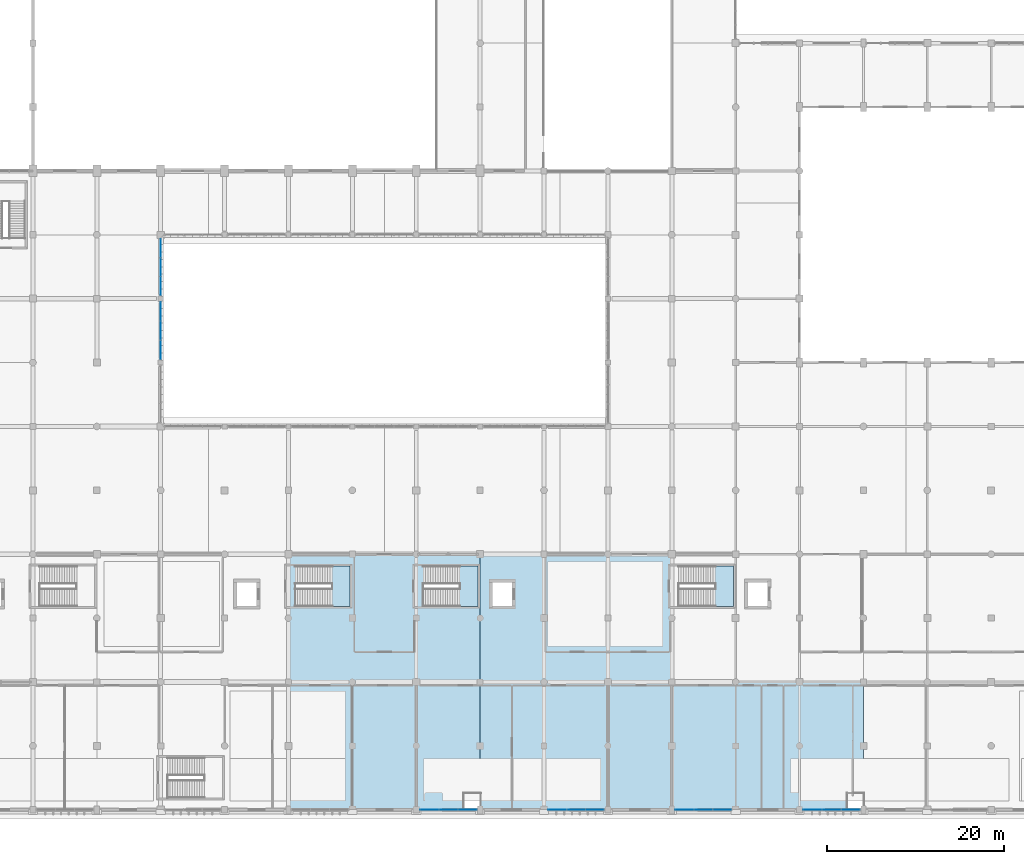
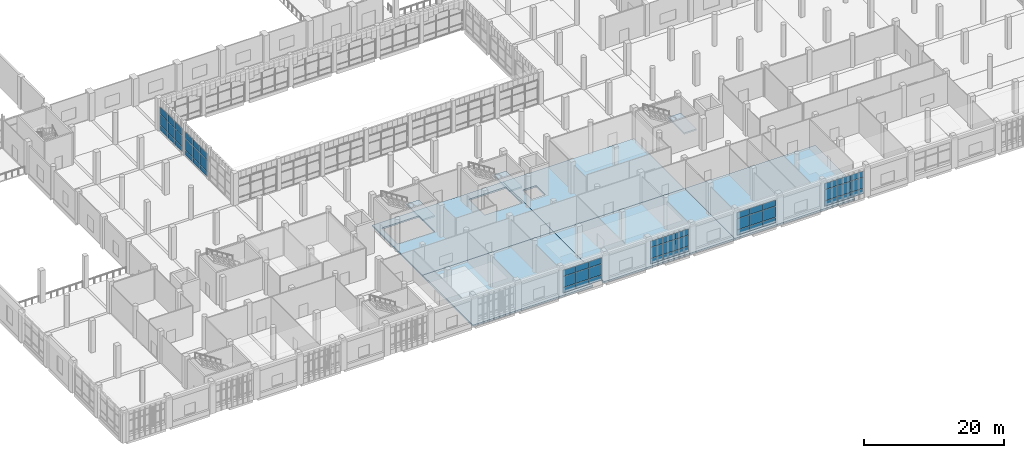
# One storey, part 37 of 80: 54 plates, 8 slabs, 9 elements without a shape of their own.
"""IFC4 building model written with IfcOpenShell, lengths in metres."""

from ifc_helpers import new_model, si_unit, direction, frame, origin, origin_2d, place, context, subcontext, project, spatial, polyline, rectangle, outline, extrude, material, layer, layer_set, type_object, element, aggregate, save


model = new_model("IFC4")

# Units and contexts
model_context = context("Model", 3, precision=1e-05, world=origin(), true_north=direction((0.0, 1.0)))
body_context = subcontext(model_context, "Body", "Model", "MODEL_VIEW")
ifc_project = project(units=[si_unit("LENGTHUNIT", "METRE"), si_unit("AREAUNIT", "SQUARE_METRE"), si_unit("VOLUMEUNIT", "CUBIC_METRE"), si_unit("PLANEANGLEUNIT", "RADIAN"), si_unit("MASSUNIT", "GRAM", prefix="KILO")], contexts=[model_context])

# Site, building, storey
site_placement = place(None, origin())
site = spatial("IfcSite", under=ifc_project, at=site_placement, CompositionType="ELEMENT")
building_placement = place(site_placement, origin())
building = spatial("IfcBuilding", under=site, at=building_placement, Name="Sardonyx Promenade Sports Hall", CompositionType="ELEMENT")
storey_placement = place(building_placement, frame((0.0, 0.0, 5.60009765625)))
storey = spatial("IfcBuildingStorey", under=building, at=storey_placement, Name="L01", CompositionType="ELEMENT", Elevation=5.60009765625)

# Curtain wall, plates
ifc_material_1 = material(Name="Aluminium 6063-T6", Category="aluminium")
curtain_wall_type_1 = type_object("IfcCurtainWallType", Name="CW_South_L01_640", PredefinedType="USERDEFINED", material=ifc_material_1)
curtain_wall_1_placement = place(storey_placement, origin())
curtain_wall_1 = element("IfcCurtainWall", 1, at=curtain_wall_1_placement, inside=storey, type_object=curtain_wall_type_1, Name="Curtain wall CW08 cw:L01:020", ObjectType="CURTAIN WALL", PredefinedType="USERDEFINED")
ifc_material_2 = material(Name="Double-glazed solar low-E IGU 28 mm", Category="glass")
ifc_layer_1 = layer(ifc_material_2, 0.028076171875)
ifc_layer_set_1 = layer_set([ifc_layer_1], Name="CW_Pan_Glz_28")
plate_type_1 = type_object("IfcPlateType", Name="CW_Pan_Glz_28", PredefinedType="CURTAIN_PANEL", material=ifc_layer_set_1)
plate_1_placement = place(storey_placement, frame((120.9716796875, 0.0, 0.419921875), z_axis=(0.0, 0.0, 1.0), x_axis=(-1.0, 0.0, 0.0)))
plate_1 = element("IfcPlate", 2, at=plate_1_placement, type_object=plate_type_1, Name="Curtain panel CP01 cw:L01:020 #1", PredefinedType="CURTAIN_PANEL", context=body_context, shape_type="SweptSolid", body=[
    extrude(rectangle(XDim=2.07666015625, YDim=0.028076171875, at=origin_2d()), origin(), (0.0, 0.0, 1.0), 0.89501953125),
])
plate_2_placement = place(storey_placement, frame((120.9716796875, 0.0, 1.385009765625), z_axis=(0.0, 0.0, 1.0), x_axis=(-1.0, 0.0, 0.0)))
plate_2 = element("IfcPlate", 3, at=plate_2_placement, type_object=plate_type_1, Name="Curtain panel CP01 cw:L01:020 #2", PredefinedType="CURTAIN_PANEL", context=body_context, shape_type="SweptSolid", body=[
    extrude(rectangle(XDim=2.07666015625, YDim=0.028076171875, at=origin_2d()), origin(), (0.0, 0.0, 1.0), 1.8798828125),
])
plate_3_placement = place(storey_placement, frame((120.9716796875, 0.0, 3.3349609375), z_axis=(0.0, 0.0, 1.0), x_axis=(-1.0, 0.0, 0.0)))
plate_3 = element("IfcPlate", 4, at=plate_3_placement, type_object=plate_type_1, Name="Curtain panel CP01 cw:L01:020 #3", PredefinedType="CURTAIN_PANEL", context=body_context, shape_type="SweptSolid", body=[
    extrude(rectangle(XDim=2.07666015625, YDim=0.028076171875, at=origin_2d()), origin(), (0.0, 0.0, 1.0), 1.044921875),
])
plate_4_placement = place(storey_placement, frame((118.824951171875, 0.0, 0.419921875), z_axis=(0.0, 0.0, 1.0), x_axis=(-1.0, 0.0, 0.0)))
plate_4 = element("IfcPlate", 5, at=plate_4_placement, type_object=plate_type_1, Name="Curtain panel CP01 cw:L01:020 #4", PredefinedType="CURTAIN_PANEL", context=body_context, shape_type="SweptSolid", body=[
    extrude(rectangle(XDim=2.07666015625, YDim=0.028076171875, at=origin_2d()), origin(), (0.0, 0.0, 1.0), 0.89501953125),
])
plate_5_placement = place(storey_placement, frame((118.824951171875, 0.0, 1.385009765625), z_axis=(0.0, 0.0, 1.0), x_axis=(-1.0, 0.0, 0.0)))
plate_5 = element("IfcPlate", 6, at=plate_5_placement, type_object=plate_type_1, Name="Curtain panel CP01 cw:L01:020 #5", PredefinedType="CURTAIN_PANEL", context=body_context, shape_type="SweptSolid", body=[
    extrude(rectangle(XDim=2.07666015625, YDim=0.028076171875, at=origin_2d()), origin(), (0.0, 0.0, 1.0), 1.8798828125),
])
plate_6_placement = place(storey_placement, frame((118.824951171875, 0.0, 3.3349609375), z_axis=(0.0, 0.0, 1.0), x_axis=(-1.0, 0.0, 0.0)))
plate_6 = element("IfcPlate", 7, at=plate_6_placement, type_object=plate_type_1, Name="Curtain panel CP01 cw:L01:020 #6", PredefinedType="CURTAIN_PANEL", context=body_context, shape_type="SweptSolid", body=[
    extrude(rectangle(XDim=2.07666015625, YDim=0.028076171875, at=origin_2d()), origin(), (0.0, 0.0, 1.0), 1.044921875),
])
plate_7_placement = place(storey_placement, frame((116.67822265625, 0.0, 0.419921875), z_axis=(0.0, 0.0, 1.0), x_axis=(-1.0, 0.0, 0.0)))
plate_7 = element("IfcPlate", 8, at=plate_7_placement, type_object=plate_type_1, Name="Curtain panel CP01 cw:L01:020 #7", PredefinedType="CURTAIN_PANEL", context=body_context, shape_type="SweptSolid", body=[
    extrude(rectangle(XDim=2.07666015625, YDim=0.028076171875, at=origin_2d()), origin(), (0.0, 0.0, 1.0), 0.89501953125),
])
plate_8_placement = place(storey_placement, frame((116.67822265625, 0.0, 1.385009765625), z_axis=(0.0, 0.0, 1.0), x_axis=(-1.0, 0.0, 0.0)))
plate_8 = element("IfcPlate", 9, at=plate_8_placement, type_object=plate_type_1, Name="Curtain panel CP01 cw:L01:020 #8", PredefinedType="CURTAIN_PANEL", context=body_context, shape_type="SweptSolid", body=[
    extrude(rectangle(XDim=2.07666015625, YDim=0.028076171875, at=origin_2d()), origin(), (0.0, 0.0, 1.0), 1.8798828125),
])
plate_9_placement = place(storey_placement, frame((116.67822265625, 0.0, 3.3349609375), z_axis=(0.0, 0.0, 1.0), x_axis=(-1.0, 0.0, 0.0)))
plate_9 = element("IfcPlate", 10, at=plate_9_placement, type_object=plate_type_1, Name="Curtain panel CP01 cw:L01:020 #9", PredefinedType="CURTAIN_PANEL", context=body_context, shape_type="SweptSolid", body=[
    extrude(rectangle(XDim=2.07666015625, YDim=0.028076171875, at=origin_2d()), origin(), (0.0, 0.0, 1.0), 1.044921875),
])
aggregate(curtain_wall_1, [plate_1, plate_2, plate_3, plate_4, plate_5, plate_6, plate_7, plate_8, plate_9])

curtain_wall_2_placement = place(storey_placement, origin())
curtain_wall_2 = element("IfcCurtainWall", 11, at=curtain_wall_2_placement, inside=storey, type_object=curtain_wall_type_1, Name="Curtain wall CW08 cw:L01:021", ObjectType="CURTAIN WALL", PredefinedType="USERDEFINED")
plate_10_placement = place(storey_placement, frame((106.47998046875, 0.0, 0.419921875), z_axis=(0.0, 0.0, 1.0), x_axis=(-1.0, 0.0, 0.0)))
plate_10 = element("IfcPlate", 12, at=plate_10_placement, type_object=plate_type_1, Name="Curtain panel CP01 cw:L01:021 #1", PredefinedType="CURTAIN_PANEL", context=body_context, shape_type="SweptSolid", body=[
    extrude(rectangle(XDim=2.06005859375, YDim=0.028076171875, at=origin_2d()), origin(), (0.0, 0.0, 1.0), 0.89501953125),
])
plate_11_placement = place(storey_placement, frame((106.47998046875, 0.0, 1.385009765625), z_axis=(0.0, 0.0, 1.0), x_axis=(-1.0, 0.0, 0.0)))
plate_11 = element("IfcPlate", 13, at=plate_11_placement, type_object=plate_type_1, Name="Curtain panel CP01 cw:L01:021 #2", PredefinedType="CURTAIN_PANEL", context=body_context, shape_type="SweptSolid", body=[
    extrude(rectangle(XDim=2.06005859375, YDim=0.028076171875, at=origin_2d()), origin(), (0.0, 0.0, 1.0), 1.8798828125),
])
plate_12_placement = place(storey_placement, frame((106.47998046875, 0.0, 3.3349609375), z_axis=(0.0, 0.0, 1.0), x_axis=(-1.0, 0.0, 0.0)))
plate_12 = element("IfcPlate", 14, at=plate_12_placement, type_object=plate_type_1, Name="Curtain panel CP01 cw:L01:021 #3", PredefinedType="CURTAIN_PANEL", context=body_context, shape_type="SweptSolid", body=[
    extrude(rectangle(XDim=2.06005859375, YDim=0.028076171875, at=origin_2d()), origin(), (0.0, 0.0, 1.0), 1.044921875),
])
plate_13_placement = place(storey_placement, frame((104.35009765625, 0.0, 0.419921875), z_axis=(0.0, 0.0, 1.0), x_axis=(-1.0, 0.0, 0.0)))
plate_13 = element("IfcPlate", 15, at=plate_13_placement, type_object=plate_type_1, Name="Curtain panel CP01 cw:L01:021 #4", PredefinedType="CURTAIN_PANEL", context=body_context, shape_type="SweptSolid", body=[
    extrude(rectangle(XDim=2.06005859375, YDim=0.028076171875, at=origin_2d()), origin(), (0.0, 0.0, 1.0), 0.89501953125),
])
plate_14_placement = place(storey_placement, frame((104.35009765625, 0.0, 1.385009765625), z_axis=(0.0, 0.0, 1.0), x_axis=(-1.0, 0.0, 0.0)))
plate_14 = element("IfcPlate", 16, at=plate_14_placement, type_object=plate_type_1, Name="Curtain panel CP01 cw:L01:021 #5", PredefinedType="CURTAIN_PANEL", context=body_context, shape_type="SweptSolid", body=[
    extrude(rectangle(XDim=2.06005859375, YDim=0.028076171875, at=origin_2d()), origin(), (0.0, 0.0, 1.0), 1.8798828125),
])
plate_15_placement = place(storey_placement, frame((104.35009765625, 0.0, 3.3349609375), z_axis=(0.0, 0.0, 1.0), x_axis=(-1.0, 0.0, 0.0)))
plate_15 = element("IfcPlate", 17, at=plate_15_placement, type_object=plate_type_1, Name="Curtain panel CP01 cw:L01:021 #6", PredefinedType="CURTAIN_PANEL", context=body_context, shape_type="SweptSolid", body=[
    extrude(rectangle(XDim=2.06005859375, YDim=0.028076171875, at=origin_2d()), origin(), (0.0, 0.0, 1.0), 1.044921875),
])
plate_16_placement = place(storey_placement, frame((102.219970703125, 0.0, 0.419921875), z_axis=(0.0, 0.0, 1.0), x_axis=(-1.0, 0.0, 0.0)))
plate_16 = element("IfcPlate", 18, at=plate_16_placement, type_object=plate_type_1, Name="Curtain panel CP01 cw:L01:021 #7", PredefinedType="CURTAIN_PANEL", context=body_context, shape_type="SweptSolid", body=[
    extrude(rectangle(XDim=2.06005859375, YDim=0.028076171875, at=origin_2d()), origin(), (0.0, 0.0, 1.0), 0.89501953125),
])
plate_17_placement = place(storey_placement, frame((102.219970703125, 0.0, 1.385009765625), z_axis=(0.0, 0.0, 1.0), x_axis=(-1.0, 0.0, 0.0)))
plate_17 = element("IfcPlate", 19, at=plate_17_placement, type_object=plate_type_1, Name="Curtain panel CP01 cw:L01:021 #8", PredefinedType="CURTAIN_PANEL", context=body_context, shape_type="SweptSolid", body=[
    extrude(rectangle(XDim=2.06005859375, YDim=0.028076171875, at=origin_2d()), origin(), (0.0, 0.0, 1.0), 1.8798828125),
])
plate_18_placement = place(storey_placement, frame((102.219970703125, 0.0, 3.3349609375), z_axis=(0.0, 0.0, 1.0), x_axis=(-1.0, 0.0, 0.0)))
plate_18 = element("IfcPlate", 20, at=plate_18_placement, type_object=plate_type_1, Name="Curtain panel CP01 cw:L01:021 #9", PredefinedType="CURTAIN_PANEL", context=body_context, shape_type="SweptSolid", body=[
    extrude(rectangle(XDim=2.06005859375, YDim=0.028076171875, at=origin_2d()), origin(), (0.0, 0.0, 1.0), 1.044921875),
])
aggregate(curtain_wall_2, [plate_10, plate_11, plate_12, plate_13, plate_14, plate_15, plate_16, plate_17, plate_18])

curtain_wall_3_placement = place(storey_placement, origin())
curtain_wall_3 = element("IfcCurtainWall", 21, at=curtain_wall_3_placement, inside=storey, type_object=curtain_wall_type_1, Name="Curtain wall CW08 cw:L01:022", ObjectType="CURTAIN WALL", PredefinedType="USERDEFINED")
plate_19_placement = place(storey_placement, frame((92.138427734375, 0.0, 0.419921875), z_axis=(0.0, 0.0, 1.0), x_axis=(-1.0, 0.0, 0.0)))
plate_19 = element("IfcPlate", 22, at=plate_19_placement, type_object=plate_type_1, Name="Curtain panel CP01 cw:L01:022 #1", PredefinedType="CURTAIN_PANEL", context=body_context, shape_type="SweptSolid", body=[
    extrude(rectangle(XDim=2.043212890625, YDim=0.028076171875, at=origin_2d()), origin(), (0.0, 0.0, 1.0), 0.89501953125),
])
plate_20_placement = place(storey_placement, frame((92.138427734375, 0.0, 1.385009765625), z_axis=(0.0, 0.0, 1.0), x_axis=(-1.0, 0.0, 0.0)))
plate_20 = element("IfcPlate", 23, at=plate_20_placement, type_object=plate_type_1, Name="Curtain panel CP01 cw:L01:022 #2", PredefinedType="CURTAIN_PANEL", context=body_context, shape_type="SweptSolid", body=[
    extrude(rectangle(XDim=2.043212890625, YDim=0.028076171875, at=origin_2d()), origin(), (0.0, 0.0, 1.0), 1.8798828125),
])
plate_21_placement = place(storey_placement, frame((92.138427734375, 0.0, 3.3349609375), z_axis=(0.0, 0.0, 1.0), x_axis=(-1.0, 0.0, 0.0)))
plate_21 = element("IfcPlate", 24, at=plate_21_placement, type_object=plate_type_1, Name="Curtain panel CP01 cw:L01:022 #3", PredefinedType="CURTAIN_PANEL", context=body_context, shape_type="SweptSolid", body=[
    extrude(rectangle(XDim=2.043212890625, YDim=0.028076171875, at=origin_2d()), origin(), (0.0, 0.0, 1.0), 1.044921875),
])
plate_22_placement = place(storey_placement, frame((90.02490234375, 0.0, 0.419921875), z_axis=(0.0, 0.0, 1.0), x_axis=(-1.0, 0.0, 0.0)))
plate_22 = element("IfcPlate", 25, at=plate_22_placement, type_object=plate_type_1, Name="Curtain panel CP01 cw:L01:022 #4", PredefinedType="CURTAIN_PANEL", context=body_context, shape_type="SweptSolid", body=[
    extrude(rectangle(XDim=2.043212890625, YDim=0.028076171875, at=origin_2d()), origin(), (0.0, 0.0, 1.0), 0.89501953125),
])
plate_23_placement = place(storey_placement, frame((90.02490234375, 0.0, 1.385009765625), z_axis=(0.0, 0.0, 1.0), x_axis=(-1.0, 0.0, 0.0)))
plate_23 = element("IfcPlate", 26, at=plate_23_placement, type_object=plate_type_1, Name="Curtain panel CP01 cw:L01:022 #5", PredefinedType="CURTAIN_PANEL", context=body_context, shape_type="SweptSolid", body=[
    extrude(rectangle(XDim=2.043212890625, YDim=0.028076171875, at=origin_2d()), origin(), (0.0, 0.0, 1.0), 1.8798828125),
])
plate_24_placement = place(storey_placement, frame((90.02490234375, 0.0, 3.3349609375), z_axis=(0.0, 0.0, 1.0), x_axis=(-1.0, 0.0, 0.0)))
plate_24 = element("IfcPlate", 27, at=plate_24_placement, type_object=plate_type_1, Name="Curtain panel CP01 cw:L01:022 #6", PredefinedType="CURTAIN_PANEL", context=body_context, shape_type="SweptSolid", body=[
    extrude(rectangle(XDim=2.043212890625, YDim=0.028076171875, at=origin_2d()), origin(), (0.0, 0.0, 1.0), 1.044921875),
])
plate_25_placement = place(storey_placement, frame((87.91162109375, 0.0, 0.419921875), z_axis=(0.0, 0.0, 1.0), x_axis=(-1.0, 0.0, 0.0)))
plate_25 = element("IfcPlate", 28, at=plate_25_placement, type_object=plate_type_1, Name="Curtain panel CP01 cw:L01:022 #7", PredefinedType="CURTAIN_PANEL", context=body_context, shape_type="SweptSolid", body=[
    extrude(rectangle(XDim=2.043212890625, YDim=0.028076171875, at=origin_2d()), origin(), (0.0, 0.0, 1.0), 0.89501953125),
])
plate_26_placement = place(storey_placement, frame((87.91162109375, 0.0, 1.385009765625), z_axis=(0.0, 0.0, 1.0), x_axis=(-1.0, 0.0, 0.0)))
plate_26 = element("IfcPlate", 29, at=plate_26_placement, type_object=plate_type_1, Name="Curtain panel CP01 cw:L01:022 #8", PredefinedType="CURTAIN_PANEL", context=body_context, shape_type="SweptSolid", body=[
    extrude(rectangle(XDim=2.043212890625, YDim=0.028076171875, at=origin_2d()), origin(), (0.0, 0.0, 1.0), 1.8798828125),
])
plate_27_placement = place(storey_placement, frame((87.91162109375, 0.0, 3.3349609375), z_axis=(0.0, 0.0, 1.0), x_axis=(-1.0, 0.0, 0.0)))
plate_27 = element("IfcPlate", 30, at=plate_27_placement, type_object=plate_type_1, Name="Curtain panel CP01 cw:L01:022 #9", PredefinedType="CURTAIN_PANEL", context=body_context, shape_type="SweptSolid", body=[
    extrude(rectangle(XDim=2.043212890625, YDim=0.028076171875, at=origin_2d()), origin(), (0.0, 0.0, 1.0), 1.044921875),
])
aggregate(curtain_wall_3, [plate_19, plate_20, plate_21, plate_22, plate_23, plate_24, plate_25, plate_26, plate_27])

curtain_wall_4_placement = place(storey_placement, origin())
curtain_wall_4 = element("IfcCurtainWall", 31, at=curtain_wall_4_placement, inside=storey, type_object=curtain_wall_type_1, Name="Curtain wall CW08 cw:L01:023", ObjectType="CURTAIN WALL", PredefinedType="USERDEFINED")
plate_28_placement = place(storey_placement, frame((77.771728515625, 0.0, 0.419921875), z_axis=(0.0, 0.0, 1.0), x_axis=(-1.0, 0.0, 0.0)))
plate_28 = element("IfcPlate", 32, at=plate_28_placement, type_object=plate_type_1, Name="Curtain panel CP01 cw:L01:023 #1", PredefinedType="CURTAIN_PANEL", context=body_context, shape_type="SweptSolid", body=[
    extrude(rectangle(XDim=2.07666015625, YDim=0.028076171875, at=origin_2d()), origin(), (0.0, 0.0, 1.0), 0.89501953125),
])
plate_29_placement = place(storey_placement, frame((77.771728515625, 0.0, 1.385009765625), z_axis=(0.0, 0.0, 1.0), x_axis=(-1.0, 0.0, 0.0)))
plate_29 = element("IfcPlate", 33, at=plate_29_placement, type_object=plate_type_1, Name="Curtain panel CP01 cw:L01:023 #2", PredefinedType="CURTAIN_PANEL", context=body_context, shape_type="SweptSolid", body=[
    extrude(rectangle(XDim=2.07666015625, YDim=0.028076171875, at=origin_2d()), origin(), (0.0, 0.0, 1.0), 1.8798828125),
])
plate_30_placement = place(storey_placement, frame((77.771728515625, 0.0, 3.3349609375), z_axis=(0.0, 0.0, 1.0), x_axis=(-1.0, 0.0, 0.0)))
plate_30 = element("IfcPlate", 34, at=plate_30_placement, type_object=plate_type_1, Name="Curtain panel CP01 cw:L01:023 #3", PredefinedType="CURTAIN_PANEL", context=body_context, shape_type="SweptSolid", body=[
    extrude(rectangle(XDim=2.07666015625, YDim=0.028076171875, at=origin_2d()), origin(), (0.0, 0.0, 1.0), 1.044921875),
])
plate_31_placement = place(storey_placement, frame((75.625, 0.0, 0.419921875), z_axis=(0.0, 0.0, 1.0), x_axis=(-1.0, 0.0, 0.0)))
plate_31 = element("IfcPlate", 35, at=plate_31_placement, type_object=plate_type_1, Name="Curtain panel CP01 cw:L01:023 #4", PredefinedType="CURTAIN_PANEL", context=body_context, shape_type="SweptSolid", body=[
    extrude(rectangle(XDim=2.07666015625, YDim=0.028076171875, at=origin_2d()), origin(), (0.0, 0.0, 1.0), 0.89501953125),
])
plate_32_placement = place(storey_placement, frame((75.625, 0.0, 1.385009765625), z_axis=(0.0, 0.0, 1.0), x_axis=(-1.0, 0.0, 0.0)))
plate_32 = element("IfcPlate", 36, at=plate_32_placement, type_object=plate_type_1, Name="Curtain panel CP01 cw:L01:023 #5", PredefinedType="CURTAIN_PANEL", context=body_context, shape_type="SweptSolid", body=[
    extrude(rectangle(XDim=2.07666015625, YDim=0.028076171875, at=origin_2d()), origin(), (0.0, 0.0, 1.0), 1.8798828125),
])
plate_33_placement = place(storey_placement, frame((75.625, 0.0, 3.3349609375), z_axis=(0.0, 0.0, 1.0), x_axis=(-1.0, 0.0, 0.0)))
plate_33 = element("IfcPlate", 37, at=plate_33_placement, type_object=plate_type_1, Name="Curtain panel CP01 cw:L01:023 #6", PredefinedType="CURTAIN_PANEL", context=body_context, shape_type="SweptSolid", body=[
    extrude(rectangle(XDim=2.07666015625, YDim=0.028076171875, at=origin_2d()), origin(), (0.0, 0.0, 1.0), 1.044921875),
])
plate_34_placement = place(storey_placement, frame((73.478271484375, 0.0, 0.419921875), z_axis=(0.0, 0.0, 1.0), x_axis=(-1.0, 0.0, 0.0)))
plate_34 = element("IfcPlate", 38, at=plate_34_placement, type_object=plate_type_1, Name="Curtain panel CP01 cw:L01:023 #7", PredefinedType="CURTAIN_PANEL", context=body_context, shape_type="SweptSolid", body=[
    extrude(rectangle(XDim=2.07666015625, YDim=0.028076171875, at=origin_2d()), origin(), (0.0, 0.0, 1.0), 0.89501953125),
])
plate_35_placement = place(storey_placement, frame((73.478271484375, 0.0, 1.385009765625), z_axis=(0.0, 0.0, 1.0), x_axis=(-1.0, 0.0, 0.0)))
plate_35 = element("IfcPlate", 39, at=plate_35_placement, type_object=plate_type_1, Name="Curtain panel CP01 cw:L01:023 #8", PredefinedType="CURTAIN_PANEL", context=body_context, shape_type="SweptSolid", body=[
    extrude(rectangle(XDim=2.07666015625, YDim=0.028076171875, at=origin_2d()), origin(), (0.0, 0.0, 1.0), 1.8798828125),
])
plate_36_placement = place(storey_placement, frame((73.478271484375, 0.0, 3.3349609375), z_axis=(0.0, 0.0, 1.0), x_axis=(-1.0, 0.0, 0.0)))
plate_36 = element("IfcPlate", 40, at=plate_36_placement, type_object=plate_type_1, Name="Curtain panel CP01 cw:L01:023 #9", PredefinedType="CURTAIN_PANEL", context=body_context, shape_type="SweptSolid", body=[
    extrude(rectangle(XDim=2.07666015625, YDim=0.028076171875, at=origin_2d()), origin(), (0.0, 0.0, 1.0), 1.044921875),
])
aggregate(curtain_wall_4, [plate_28, plate_29, plate_30, plate_31, plate_32, plate_33, plate_34, plate_35, plate_36])

ifc_material_3 = material(Name="Aluminium 6063-T6", Category="aluminium")
curtain_wall_type_2 = type_object("IfcCurtainWallType", Name="CW_Riwaq_L01_640", PredefinedType="USERDEFINED", material=ifc_material_3)
curtain_wall_5_placement = place(storey_placement, origin())
curtain_wall_5 = element("IfcCurtainWall", 41, at=curtain_wall_5_placement, inside=storey, type_object=curtain_wall_type_2, Name="Curtain wall CW18 cw:L01:142", ObjectType="CURTAIN WALL", PredefinedType="USERDEFINED")
ifc_material_4 = material(Name="Double-glazed acoustic IGU 32 mm", Category="glass")
ifc_layer_2 = layer(ifc_material_4, 0.031982421875)
ifc_layer_set_2 = layer_set([ifc_layer_2], Name="CW_Pan_Glz_32")
plate_type_2 = type_object("IfcPlateType", Name="CW_Pan_Glz_32", PredefinedType="CURTAIN_PANEL", material=ifc_layer_set_2)
plate_37_placement = place(storey_placement, frame((43.199951171875, 56.1650390625, 0.06494140625), z_axis=(0.0, 0.0, 1.0), x_axis=(0.0, -1.0, 0.0)))
plate_37 = element("IfcPlate", 42, at=plate_37_placement, type_object=plate_type_2, Name="Curtain panel CP02 cw:L01:142 #1", PredefinedType="CURTAIN_PANEL", context=body_context, shape_type="SweptSolid", body=[
    extrude(rectangle(XDim=2.10009765625, YDim=0.031982421875, at=origin_2d()), origin(), (0.0, 0.0, 1.0), 0.8525390625),
])
plate_38_placement = place(storey_placement, frame((43.199951171875, 56.1650390625, 0.982421875), z_axis=(0.0, 0.0, 1.0), x_axis=(0.0, -1.0, 0.0)))
plate_38 = element("IfcPlate", 43, at=plate_38_placement, type_object=plate_type_2, Name="Curtain panel CP02 cw:L01:142 #2", PredefinedType="CURTAIN_PANEL", context=body_context, shape_type="SweptSolid", body=[
    extrude(rectangle(XDim=2.10009765625, YDim=0.031982421875, at=origin_2d()), origin(), (0.0, 0.0, 1.0), 1.885009765625),
])
plate_39_placement = place(storey_placement, frame((43.199951171875, 56.1650390625, 2.9326171875), z_axis=(0.0, 0.0, 1.0), x_axis=(0.0, -1.0, 0.0)))
plate_39 = element("IfcPlate", 44, at=plate_39_placement, type_object=plate_type_2, Name="Curtain panel CP02 cw:L01:142 #3", PredefinedType="CURTAIN_PANEL", context=body_context, shape_type="SweptSolid", body=[
    extrude(rectangle(XDim=2.10009765625, YDim=0.031982421875, at=origin_2d()), origin(), (0.0, 0.0, 1.0), 1.202392578125),
])
plate_40_placement = place(storey_placement, frame((43.199951171875, 54.0, 0.06494140625), z_axis=(0.0, 0.0, 1.0), x_axis=(0.0, -1.0, 0.0)))
plate_40 = element("IfcPlate", 45, at=plate_40_placement, type_object=plate_type_2, Name="Curtain panel CP02 cw:L01:142 #4", PredefinedType="CURTAIN_PANEL", context=body_context, shape_type="SweptSolid", body=[
    extrude(rectangle(XDim=2.10009765625, YDim=0.031982421875, at=origin_2d()), origin(), (0.0, 0.0, 1.0), 0.8525390625),
])
plate_41_placement = place(storey_placement, frame((43.199951171875, 54.0, 0.982421875), z_axis=(0.0, 0.0, 1.0), x_axis=(0.0, -1.0, 0.0)))
plate_41 = element("IfcPlate", 46, at=plate_41_placement, type_object=plate_type_2, Name="Curtain panel CP02 cw:L01:142 #5", PredefinedType="CURTAIN_PANEL", context=body_context, shape_type="SweptSolid", body=[
    extrude(rectangle(XDim=2.10009765625, YDim=0.031982421875, at=origin_2d()), origin(), (0.0, 0.0, 1.0), 1.885009765625),
])
plate_42_placement = place(storey_placement, frame((43.199951171875, 54.0, 2.9326171875), z_axis=(0.0, 0.0, 1.0), x_axis=(0.0, -1.0, 0.0)))
plate_42 = element("IfcPlate", 47, at=plate_42_placement, type_object=plate_type_2, Name="Curtain panel CP02 cw:L01:142 #6", PredefinedType="CURTAIN_PANEL", context=body_context, shape_type="SweptSolid", body=[
    extrude(rectangle(XDim=2.10009765625, YDim=0.031982421875, at=origin_2d()), origin(), (0.0, 0.0, 1.0), 1.202392578125),
])
plate_43_placement = place(storey_placement, frame((43.199951171875, 51.8349609375, 0.06494140625), z_axis=(0.0, 0.0, 1.0), x_axis=(0.0, -1.0, 0.0)))
plate_43 = element("IfcPlate", 48, at=plate_43_placement, type_object=plate_type_2, Name="Curtain panel CP02 cw:L01:142 #7", PredefinedType="CURTAIN_PANEL", context=body_context, shape_type="SweptSolid", body=[
    extrude(rectangle(XDim=2.10009765625, YDim=0.031982421875, at=origin_2d()), origin(), (0.0, 0.0, 1.0), 0.8525390625),
])
plate_44_placement = place(storey_placement, frame((43.199951171875, 51.8349609375, 0.982421875), z_axis=(0.0, 0.0, 1.0), x_axis=(0.0, -1.0, 0.0)))
plate_44 = element("IfcPlate", 49, at=plate_44_placement, type_object=plate_type_2, Name="Curtain panel CP02 cw:L01:142 #8", PredefinedType="CURTAIN_PANEL", context=body_context, shape_type="SweptSolid", body=[
    extrude(rectangle(XDim=2.10009765625, YDim=0.031982421875, at=origin_2d()), origin(), (0.0, 0.0, 1.0), 1.885009765625),
])
plate_45_placement = place(storey_placement, frame((43.199951171875, 51.8349609375, 2.9326171875), z_axis=(0.0, 0.0, 1.0), x_axis=(0.0, -1.0, 0.0)))
plate_45 = element("IfcPlate", 50, at=plate_45_placement, type_object=plate_type_2, Name="Curtain panel CP02 cw:L01:142 #9", PredefinedType="CURTAIN_PANEL", context=body_context, shape_type="SweptSolid", body=[
    extrude(rectangle(XDim=2.10009765625, YDim=0.031982421875, at=origin_2d()), origin(), (0.0, 0.0, 1.0), 1.202392578125),
])
aggregate(curtain_wall_5, [plate_37, plate_38, plate_39, plate_40, plate_41, plate_42, plate_43, plate_44, plate_45])

curtain_wall_6_placement = place(storey_placement, origin())
curtain_wall_6 = element("IfcCurtainWall", 51, at=curtain_wall_6_placement, inside=storey, type_object=curtain_wall_type_2, Name="Curtain wall CW18 cw:L01:144", ObjectType="CURTAIN WALL", PredefinedType="USERDEFINED")
plate_46_placement = place(storey_placement, frame((43.199951171875, 63.28173828125, 0.06494140625), z_axis=(0.0, 0.0, 1.0), x_axis=(0.0, -1.0, 0.0)))
plate_46 = element("IfcPlate", 52, at=plate_46_placement, type_object=plate_type_2, Name="Curtain panel CP02 cw:L01:144 #1", PredefinedType="CURTAIN_PANEL", context=body_context, shape_type="SweptSolid", body=[
    extrude(rectangle(XDim=2.066650390625, YDim=0.031982421875, at=origin_2d()), origin(), (0.0, 0.0, 1.0), 0.8525390625),
])
plate_47_placement = place(storey_placement, frame((43.199951171875, 63.28173828125, 0.982421875), z_axis=(0.0, 0.0, 1.0), x_axis=(0.0, -1.0, 0.0)))
plate_47 = element("IfcPlate", 53, at=plate_47_placement, type_object=plate_type_2, Name="Curtain panel CP02 cw:L01:144 #2", PredefinedType="CURTAIN_PANEL", context=body_context, shape_type="SweptSolid", body=[
    extrude(rectangle(XDim=2.066650390625, YDim=0.031982421875, at=origin_2d()), origin(), (0.0, 0.0, 1.0), 1.885009765625),
])
plate_48_placement = place(storey_placement, frame((43.199951171875, 63.28173828125, 2.9326171875), z_axis=(0.0, 0.0, 1.0), x_axis=(0.0, -1.0, 0.0)))
plate_48 = element("IfcPlate", 54, at=plate_48_placement, type_object=plate_type_2, Name="Curtain panel CP02 cw:L01:144 #3", PredefinedType="CURTAIN_PANEL", context=body_context, shape_type="SweptSolid", body=[
    extrude(rectangle(XDim=2.066650390625, YDim=0.031982421875, at=origin_2d()), origin(), (0.0, 0.0, 1.0), 1.202392578125),
])
plate_49_placement = place(storey_placement, frame((43.199951171875, 61.14990234375, 0.06494140625), z_axis=(0.0, 0.0, 1.0), x_axis=(0.0, -1.0, 0.0)))
plate_49 = element("IfcPlate", 55, at=plate_49_placement, type_object=plate_type_2, Name="Curtain panel CP02 cw:L01:144 #4", PredefinedType="CURTAIN_PANEL", context=body_context, shape_type="SweptSolid", body=[
    extrude(rectangle(XDim=2.066650390625, YDim=0.031982421875, at=origin_2d()), origin(), (0.0, 0.0, 1.0), 0.8525390625),
])
plate_50_placement = place(storey_placement, frame((43.199951171875, 61.14990234375, 0.982421875), z_axis=(0.0, 0.0, 1.0), x_axis=(0.0, -1.0, 0.0)))
plate_50 = element("IfcPlate", 56, at=plate_50_placement, type_object=plate_type_2, Name="Curtain panel CP02 cw:L01:144 #5", PredefinedType="CURTAIN_PANEL", context=body_context, shape_type="SweptSolid", body=[
    extrude(rectangle(XDim=2.066650390625, YDim=0.031982421875, at=origin_2d()), origin(), (0.0, 0.0, 1.0), 1.885009765625),
])
plate_51_placement = place(storey_placement, frame((43.199951171875, 61.14990234375, 2.9326171875), z_axis=(0.0, 0.0, 1.0), x_axis=(0.0, -1.0, 0.0)))
plate_51 = element("IfcPlate", 57, at=plate_51_placement, type_object=plate_type_2, Name="Curtain panel CP02 cw:L01:144 #6", PredefinedType="CURTAIN_PANEL", context=body_context, shape_type="SweptSolid", body=[
    extrude(rectangle(XDim=2.066650390625, YDim=0.031982421875, at=origin_2d()), origin(), (0.0, 0.0, 1.0), 1.202392578125),
])
plate_52_placement = place(storey_placement, frame((43.199951171875, 59.018310546875, 0.06494140625), z_axis=(0.0, 0.0, 1.0), x_axis=(0.0, -1.0, 0.0)))
plate_52 = element("IfcPlate", 58, at=plate_52_placement, type_object=plate_type_2, Name="Curtain panel CP02 cw:L01:144 #7", PredefinedType="CURTAIN_PANEL", context=body_context, shape_type="SweptSolid", body=[
    extrude(rectangle(XDim=2.066650390625, YDim=0.031982421875, at=origin_2d()), origin(), (0.0, 0.0, 1.0), 0.8525390625),
])
plate_53_placement = place(storey_placement, frame((43.199951171875, 59.018310546875, 0.982421875), z_axis=(0.0, 0.0, 1.0), x_axis=(0.0, -1.0, 0.0)))
plate_53 = element("IfcPlate", 59, at=plate_53_placement, type_object=plate_type_2, Name="Curtain panel CP02 cw:L01:144 #8", PredefinedType="CURTAIN_PANEL", context=body_context, shape_type="SweptSolid", body=[
    extrude(rectangle(XDim=2.066650390625, YDim=0.031982421875, at=origin_2d()), origin(), (0.0, 0.0, 1.0), 1.885009765625),
])
plate_54_placement = place(storey_placement, frame((43.199951171875, 59.018310546875, 2.9326171875), z_axis=(0.0, 0.0, 1.0), x_axis=(0.0, -1.0, 0.0)))
plate_54 = element("IfcPlate", 60, at=plate_54_placement, type_object=plate_type_2, Name="Curtain panel CP02 cw:L01:144 #9", PredefinedType="CURTAIN_PANEL", context=body_context, shape_type="SweptSolid", body=[
    extrude(rectangle(XDim=2.066650390625, YDim=0.031982421875, at=origin_2d()), origin(), (0.0, 0.0, 1.0), 1.202392578125),
])
aggregate(curtain_wall_6, [plate_46, plate_47, plate_48, plate_49, plate_50, plate_51, plate_52, plate_53, plate_54])

# Stair, slab
ifc_material_5 = material(Name="Concrete C40/50", Category="concrete")
stair_type = type_object("IfcStairType", Name="Stair_Esc_Std_560", PredefinedType="HALF_TURN_STAIR", material=ifc_material_5)
stair_1_placement = place(storey_placement, origin())
stair_1 = element("IfcStair", 61, at=stair_1_placement, inside=storey, type_object=stair_type, Name="Protected escape stair ST2 (L01 to L02)", PredefinedType="HALF_TURN_STAIR")
ifc_material_6 = material(Name="Concrete C40/50", Category="concrete")
ifc_layer_3 = layer(ifc_material_6, 0.260009765625)
ifc_layer_set_3 = layer_set([ifc_layer_3], Name="Land_Stair_260")
slab_type_1 = type_object("IfcSlabType", Name="Land_Stair_260", PredefinedType="LANDING", material=ifc_layer_set_3)
slab_1_placement = place(storey_placement, frame((0.0, 0.0, 2.539794921875)))
slab_1 = element("IfcSlab", 62, at=slab_1_placement, type_object=slab_type_1, Name="Stair half-landing ST2 L01", PredefinedType="LANDING", context=body_context, shape_type="SweptSolid", body=[
    extrude(outline(polyline([(105.68994140625, 22.925048828125), (107.75, 22.925048828125), (107.75, 27.47509765625), (105.68994140625, 27.47509765625), (105.68994140625, 22.925048828125)])), origin(), (0.0, 0.0, 1.0), 0.260009765625),
])
aggregate(stair_1, [slab_1])

stair_2_placement = place(storey_placement, origin())
stair_2 = element("IfcStair", 63, at=stair_2_placement, inside=storey, type_object=stair_type, Name="Protected escape stair ST3 (L01 to L02)", PredefinedType="HALF_TURN_STAIR")
slab_2_placement = place(storey_placement, frame((0.0, 0.0, 2.539794921875)))
slab_2 = element("IfcSlab", 64, at=slab_2_placement, type_object=slab_type_1, Name="Stair half-landing ST3 L01", PredefinedType="LANDING", context=body_context, shape_type="SweptSolid", body=[
    extrude(outline(polyline([(62.489990234375, 22.925048828125), (64.550048828125, 22.925048828125), (64.550048828125, 27.47509765625), (62.489990234375, 27.47509765625), (62.489990234375, 22.925048828125)])), origin(), (0.0, 0.0, 1.0), 0.260009765625),
])
aggregate(stair_2, [slab_2])

stair_3_placement = place(storey_placement, origin())
stair_3 = element("IfcStair", 65, at=stair_3_placement, inside=storey, type_object=stair_type, Name="Protected escape stair ST4 (L01 to L02)", PredefinedType="HALF_TURN_STAIR")
slab_3_placement = place(storey_placement, frame((0.0, 0.0, 2.539794921875)))
slab_3 = element("IfcSlab", 66, at=slab_3_placement, type_object=slab_type_1, Name="Stair half-landing ST4 L01", PredefinedType="LANDING", context=body_context, shape_type="SweptSolid", body=[
    extrude(outline(polyline([(76.889892578125, 22.925048828125), (78.949951171875, 22.925048828125), (78.949951171875, 27.47509765625), (76.889892578125, 27.47509765625), (76.889892578125, 22.925048828125)])), origin(), (0.0, 0.0, 1.0), 0.260009765625),
])
aggregate(stair_3, [slab_3])

# Slabs
ifc_material_7 = material(Name="Concrete C40/50", Category="concrete")
ifc_layer_4 = layer(ifc_material_7, 0.280029296875)
ifc_layer_set_4 = layer_set([ifc_layer_4], Name="Slab_Floor_Clinic_280")
slab_type_2 = type_object("IfcSlabType", Name="Slab_Floor_Clinic_280", PredefinedType="FLOOR", material=ifc_layer_set_4)
slab_4_placement = place(storey_placement, frame((0.0, 0.0, -0.280029296875)))
element("IfcSlab", 67, at=slab_4_placement, inside=storey, type_object=slab_type_2, Name="Slab FS02 L01 #129", PredefinedType="FLOOR", context=body_context, shape_type="SweptSolid", body=[
    extrude(outline(polyline([(57.60009765625, 0.0), (77.39990234375, 0.0), (77.39990234375, 1.800048828125), (79.199951171875, 1.800048828125), (79.199951171875, 14.39990234375), (57.60009765625, 14.39990234375), (57.60009765625, 0.0)])), origin(), (0.0, 0.0, 1.0), 0.280029296875),
])
slab_5_placement = place(storey_placement, frame((0.0, 0.0, -0.280029296875)))
element("IfcSlab", 68, at=slab_5_placement, inside=storey, type_object=slab_type_2, Name="Slab FS02 L01 #130", PredefinedType="FLOOR", context=body_context, shape_type="SweptSolid", body=[
    extrude(outline(polyline([(57.60009765625, 28.800048828125), (57.60009765625, 14.39990234375), (79.199951171875, 14.39990234375), (79.199951171875, 28.800048828125), (57.60009765625, 28.800048828125)]), holes=[polyline([(72.81005859375, 27.47509765625), (78.949951171875, 27.47509765625), (78.949951171875, 22.925048828125), (72.81005859375, 22.925048828125), (72.81005859375, 27.47509765625)]), polyline([(64.550048828125, 27.47509765625), (64.550048828125, 22.925048828125), (58.409912109375, 22.925048828125), (58.409912109375, 27.47509765625), (64.550048828125, 27.47509765625)])]), origin(), (0.0, 0.0, 1.0), 0.280029296875),
])
slab_6_placement = place(storey_placement, frame((0.0, 0.0, -0.280029296875)))
element("IfcSlab", 69, at=slab_6_placement, inside=storey, type_object=slab_type_2, Name="Slab FS02 L01 #131", PredefinedType="FLOOR", context=body_context, shape_type="SweptSolid", body=[
    extrude(outline(polyline([(79.199951171875, 0.0), (100.800048828125, 0.0), (100.800048828125, 14.39990234375), (79.199951171875, 14.39990234375), (79.199951171875, 0.0)])), origin(), (0.0, 0.0, 1.0), 0.280029296875),
])
slab_7_placement = place(storey_placement, frame((0.0, 0.0, -0.280029296875)))
element("IfcSlab", 70, at=slab_7_placement, inside=storey, type_object=slab_type_2, Name="Slab FS02 L01 #132", PredefinedType="FLOOR", context=body_context, shape_type="SweptSolid", body=[
    extrude(outline(polyline([(79.199951171875, 28.800048828125), (79.199951171875, 14.39990234375), (100.800048828125, 14.39990234375), (100.800048828125, 28.800048828125), (79.199951171875, 28.800048828125)]), holes=[polyline([(80.590087890625, 25.610107421875), (82.81005859375, 25.610107421875), (82.81005859375, 22.989990234375), (80.590087890625, 22.989990234375), (80.590087890625, 25.610107421875)])]), origin(), (0.0, 0.0, 1.0), 0.280029296875),
])
slab_8_placement = place(storey_placement, frame((0.0, 0.0, -0.280029296875)))
element("IfcSlab", 71, at=slab_8_placement, inside=storey, type_object=slab_type_2, Name="Slab FS02 L01 #133", PredefinedType="FLOOR", context=body_context, shape_type="SweptSolid", body=[
    extrude(outline(polyline([(100.800048828125, 0.0), (120.60009765625, 0.0), (120.60009765625, 1.800048828125), (122.39990234375, 1.800048828125), (122.39990234375, 14.39990234375), (100.800048828125, 14.39990234375), (100.800048828125, 0.0)])), origin(), (0.0, 0.0, 1.0), 0.280029296875),
])

save(model, "model.ifc")
